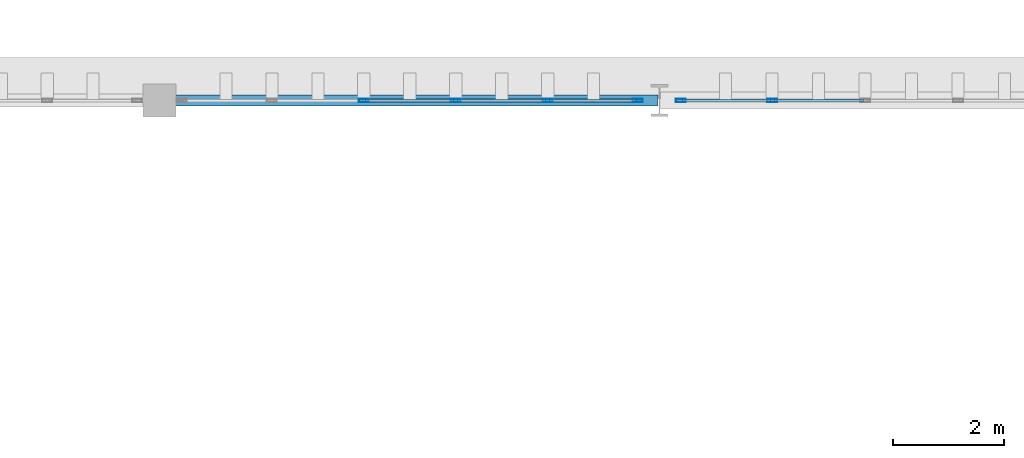
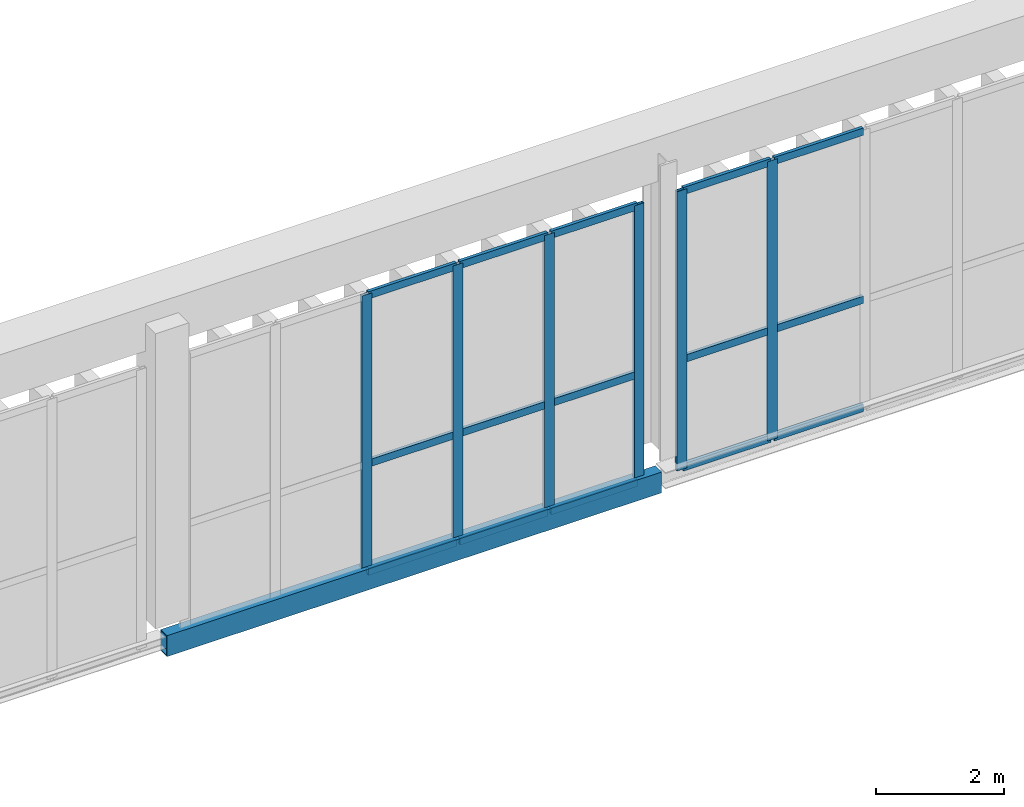
# One storey, part 170 of 237: 21 members, 1 beam, 2 elements without a shape of their own.
"""IFC4 building model written with IfcOpenShell, lengths in metres."""

from ifc_helpers import new_model, si_unit, direction, frame, origin, origin_2d, place, context, subcontext, project, spatial, hollow_rectangle, extrude, material, layer, layer_set, material_profile, profile_set, type_object, element, aggregate, save


model = new_model("IFC4")

# Units and contexts
model_context = context("Model", 3, precision=1e-05, world=origin(), true_north=direction((0.0, 1.0)))
body_context = subcontext(model_context, "Body", "Model", "MODEL_VIEW")
ifc_project = project(units=[si_unit("LENGTHUNIT", "METRE"), si_unit("AREAUNIT", "SQUARE_METRE"), si_unit("VOLUMEUNIT", "CUBIC_METRE"), si_unit("PLANEANGLEUNIT", "RADIAN"), si_unit("MASSUNIT", "GRAM", prefix="KILO")], contexts=[model_context])

# Site, building, storey
site_placement = place(None, origin())
site = spatial("IfcSite", under=ifc_project, at=site_placement, CompositionType="ELEMENT")
building_placement = place(site_placement, origin())
building = spatial("IfcBuilding", under=site, at=building_placement, Name="Barlavento Convention Centre", CompositionType="ELEMENT")
storey_placement = place(building_placement, frame((0.0, 0.0, 12.0)))
storey = spatial("IfcBuildingStorey", under=building, at=storey_placement, Name="L02", CompositionType="ELEMENT", Elevation=12.0)

# Curtain wall, members
ifc_material_1 = material(Name="Powder-coated aluminium and Low-E glass", Category="aluminium")
ifc_layer = layer(ifc_material_1, 0.18505859375)
ifc_layer_set = layer_set([ifc_layer], Name="ARC-CW-EXH-L02")
curtain_wall_type = type_object("IfcCurtainWallType", Name="ARC-CW-EXH-L02", PredefinedType="NOTDEFINED", material=ifc_layer_set)
curtain_wall_1_placement = place(storey_placement, origin())
curtain_wall_1 = element("IfcCurtainWall", 1, at=curtain_wall_1_placement, inside=storey, type_object=curtain_wall_type, Name="L02 unitised curtain wall CW05", PredefinedType="NOTDEFINED")
ifc_material_2 = material(Name="Powder-coated aluminium", Category="aluminium")
ifc_material_profile_1 = material_profile(ifc_material_2, hollow_rectangle(XDim=0.06005859375, YDim=0.179931640625, WallThickness=0.0048828125, at=origin_2d()), Name="AL-MULL 60x180x5")
ifc_profile_set_1 = profile_set([ifc_material_profile_1], Name="Powder-coated aluminium")
member_type_1 = type_object("IfcMemberType", Name="ARC-CWM-60X180", PredefinedType="MULLION", material=ifc_profile_set_1)
member_1_placement = place(storey_placement, frame((39.6796875, 135.0, -0.5), z_axis=(0.0, 0.0, 1.0), x_axis=(0.0, 1.0, 0.0)))
member_1 = element("IfcMember", 2, at=member_1_placement, type_object=member_type_1, Name="CW05 mullion 3", PredefinedType="MULLION", context=body_context, shape_type="SweptSolid", body=[
    extrude(hollow_rectangle(XDim=0.06005859375, YDim=0.179931640625, WallThickness=0.0048828125, at=origin_2d()), origin(), (0.0, 0.0, 1.0), 5.35009765625),
])
member_2_placement = place(storey_placement, frame((41.33447265625, 135.0, -0.5), z_axis=(0.0, 0.0, 1.0), x_axis=(0.0, 1.0, 0.0)))
member_2 = element("IfcMember", 3, at=member_2_placement, type_object=member_type_1, Name="CW05 mullion 4", PredefinedType="MULLION", context=body_context, shape_type="SweptSolid", body=[
    extrude(hollow_rectangle(XDim=0.06005859375, YDim=0.179931640625, WallThickness=0.0048828125, at=origin_2d()), origin(), (0.0, 0.0, 1.0), 5.35009765625),
])
member_3_placement = place(storey_placement, frame((42.9892578125, 135.0, -0.5), z_axis=(0.0, 0.0, 1.0), x_axis=(0.0, 1.0, 0.0)))
member_3 = element("IfcMember", 4, at=member_3_placement, type_object=member_type_1, Name="CW05 mullion 5", PredefinedType="MULLION", context=body_context, shape_type="SweptSolid", body=[
    extrude(hollow_rectangle(XDim=0.06005859375, YDim=0.179931640625, WallThickness=0.0048828125, at=origin_2d()), origin(), (0.0, 0.0, 1.0), 5.35009765625),
])
member_4_placement = place(storey_placement, frame((44.614013671875, 135.0, -0.5), z_axis=(0.0, 0.0, 1.0), x_axis=(0.0, 1.0, 0.0)))
member_4 = element("IfcMember", 5, at=member_4_placement, type_object=member_type_1, Name="CW05 mullion 6", PredefinedType="MULLION", context=body_context, shape_type="SweptSolid", body=[
    extrude(hollow_rectangle(XDim=0.06005859375, YDim=0.179931640625, WallThickness=0.0048828125, at=origin_2d()), origin(), (0.0, 0.0, 1.0), 5.35009765625),
])

curtain_wall_2_placement = place(storey_placement, origin())
curtain_wall_2 = element("IfcCurtainWall", 6, at=curtain_wall_2_placement, inside=storey, type_object=curtain_wall_type, Name="L02 unitised curtain wall CW05", PredefinedType="NOTDEFINED")
member_5_placement = place(storey_placement, frame((45.385986328125, 135.0, -0.5), z_axis=(0.0, 0.0, 1.0), x_axis=(0.0, 1.0, 0.0)))
member_5 = element("IfcMember", 7, at=member_5_placement, type_object=member_type_1, Name="CW05 mullion 1", PredefinedType="MULLION", context=body_context, shape_type="SweptSolid", body=[
    extrude(hollow_rectangle(XDim=0.06005859375, YDim=0.179931640625, WallThickness=0.0048828125, at=origin_2d()), origin(), (0.0, 0.0, 1.0), 5.35009765625),
])
member_6_placement = place(storey_placement, frame((47.0302734375, 135.0, -0.5), z_axis=(0.0, 0.0, 1.0), x_axis=(0.0, 1.0, 0.0)))
member_6 = element("IfcMember", 8, at=member_6_placement, type_object=member_type_1, Name="CW05 mullion 2", PredefinedType="MULLION", context=body_context, shape_type="SweptSolid", body=[
    extrude(hollow_rectangle(XDim=0.06005859375, YDim=0.179931640625, WallThickness=0.0048828125, at=origin_2d()), origin(), (0.0, 0.0, 1.0), 5.35009765625),
])

# Member
ifc_material_profile_2 = material_profile(ifc_material_2, hollow_rectangle(XDim=0.06005859375, YDim=0.139892578125, WallThickness=0.00390625, at=origin_2d()), Name="AL-TRAN 60x140x4")
ifc_profile_set_2 = profile_set([ifc_material_profile_2], Name="Powder-coated aluminium")
member_type_2 = type_object("IfcMemberType", Name="ARC-CWT-60X140", PredefinedType="USERDEFINED", material=ifc_profile_set_2)
member_7_placement = place(storey_placement, frame((39.709716796875, 135.0, -0.469970703125), z_axis=(1.0, 0.0, 0.0), x_axis=(0.0, 1.0, 0.0)))
member_7 = element("IfcMember", 9, at=member_7_placement, type_object=member_type_2, Name="CW05 transom 3.1", ObjectType="TRANSOM", PredefinedType="USERDEFINED", context=body_context, shape_type="SweptSolid", body=[
    extrude(hollow_rectangle(XDim=0.06005859375, YDim=0.139892578125, WallThickness=0.00390625, at=origin_2d()), origin(), (0.0, 0.0, 1.0), 1.5947265625),
])

member_8_placement = place(storey_placement, frame((39.709716796875, 135.0, 1.60009765625), z_axis=(1.0, 0.0, 0.0), x_axis=(0.0, 1.0, 0.0)))
member_8 = element("IfcMember", 10, at=member_8_placement, type_object=member_type_2, Name="CW05 transom 3.2", ObjectType="TRANSOM", PredefinedType="USERDEFINED", context=body_context, shape_type="SweptSolid", body=[
    extrude(hollow_rectangle(XDim=0.06005859375, YDim=0.139892578125, WallThickness=0.00390625, at=origin_2d()), origin(), (0.0, 0.0, 1.0), 1.5947265625),
])

member_9_placement = place(storey_placement, frame((39.709716796875, 135.0, 4.820068359375), z_axis=(1.0, 0.0, 0.0), x_axis=(0.0, 1.0, 0.0)))
member_9 = element("IfcMember", 11, at=member_9_placement, type_object=member_type_2, Name="CW05 transom 3.3", ObjectType="TRANSOM", PredefinedType="USERDEFINED", context=body_context, shape_type="SweptSolid", body=[
    extrude(hollow_rectangle(XDim=0.06005859375, YDim=0.139892578125, WallThickness=0.00390625, at=origin_2d()), origin(), (0.0, 0.0, 1.0), 1.5947265625),
])

member_10_placement = place(storey_placement, frame((41.364501953125, 135.0, -0.469970703125), z_axis=(1.0, 0.0, 0.0), x_axis=(0.0, 1.0, 0.0)))
member_10 = element("IfcMember", 12, at=member_10_placement, type_object=member_type_2, Name="CW05 transom 4.1", ObjectType="TRANSOM", PredefinedType="USERDEFINED", context=body_context, shape_type="SweptSolid", body=[
    extrude(hollow_rectangle(XDim=0.06005859375, YDim=0.139892578125, WallThickness=0.00390625, at=origin_2d()), origin(), (0.0, 0.0, 1.0), 1.5947265625),
])

member_11_placement = place(storey_placement, frame((41.364501953125, 135.0, 1.60009765625), z_axis=(1.0, 0.0, 0.0), x_axis=(0.0, 1.0, 0.0)))
member_11 = element("IfcMember", 13, at=member_11_placement, type_object=member_type_2, Name="CW05 transom 4.2", ObjectType="TRANSOM", PredefinedType="USERDEFINED", context=body_context, shape_type="SweptSolid", body=[
    extrude(hollow_rectangle(XDim=0.06005859375, YDim=0.139892578125, WallThickness=0.00390625, at=origin_2d()), origin(), (0.0, 0.0, 1.0), 1.5947265625),
])

member_12_placement = place(storey_placement, frame((41.364501953125, 135.0, 4.820068359375), z_axis=(1.0, 0.0, 0.0), x_axis=(0.0, 1.0, 0.0)))
member_12 = element("IfcMember", 14, at=member_12_placement, type_object=member_type_2, Name="CW05 transom 4.3", ObjectType="TRANSOM", PredefinedType="USERDEFINED", context=body_context, shape_type="SweptSolid", body=[
    extrude(hollow_rectangle(XDim=0.06005859375, YDim=0.139892578125, WallThickness=0.00390625, at=origin_2d()), origin(), (0.0, 0.0, 1.0), 1.5947265625),
])

member_13_placement = place(storey_placement, frame((43.019287109375, 135.0, -0.469970703125), z_axis=(1.0, 0.0, 0.0), x_axis=(0.0, 1.0, 0.0)))
member_13 = element("IfcMember", 15, at=member_13_placement, type_object=member_type_2, Name="CW05 transom 5.1", ObjectType="TRANSOM", PredefinedType="USERDEFINED", context=body_context, shape_type="SweptSolid", body=[
    extrude(hollow_rectangle(XDim=0.06005859375, YDim=0.139892578125, WallThickness=0.00390625, at=origin_2d()), origin(), (0.0, 0.0, 1.0), 1.564697265625),
])

member_14_placement = place(storey_placement, frame((43.019287109375, 135.0, 1.60009765625), z_axis=(1.0, 0.0, 0.0), x_axis=(0.0, 1.0, 0.0)))
member_14 = element("IfcMember", 16, at=member_14_placement, type_object=member_type_2, Name="CW05 transom 5.2", ObjectType="TRANSOM", PredefinedType="USERDEFINED", context=body_context, shape_type="SweptSolid", body=[
    extrude(hollow_rectangle(XDim=0.06005859375, YDim=0.139892578125, WallThickness=0.00390625, at=origin_2d()), origin(), (0.0, 0.0, 1.0), 1.564697265625),
])

member_15_placement = place(storey_placement, frame((43.019287109375, 135.0, 4.820068359375), z_axis=(1.0, 0.0, 0.0), x_axis=(0.0, 1.0, 0.0)))
member_15 = element("IfcMember", 17, at=member_15_placement, type_object=member_type_2, Name="CW05 transom 5.3", ObjectType="TRANSOM", PredefinedType="USERDEFINED", context=body_context, shape_type="SweptSolid", body=[
    extrude(hollow_rectangle(XDim=0.06005859375, YDim=0.139892578125, WallThickness=0.00390625, at=origin_2d()), origin(), (0.0, 0.0, 1.0), 1.564697265625),
])

aggregate(curtain_wall_1, [member_1, member_2, member_3, member_4, member_7, member_8, member_9, member_10, member_11, member_12, member_13, member_14, member_15])

member_16_placement = place(storey_placement, frame((45.416015625, 135.0, -0.469970703125), z_axis=(1.0, 0.0, 0.0), x_axis=(0.0, 1.0, 0.0)))
member_16 = element("IfcMember", 18, at=member_16_placement, type_object=member_type_2, Name="CW05 transom 1.1", ObjectType="TRANSOM", PredefinedType="USERDEFINED", context=body_context, shape_type="SweptSolid", body=[
    extrude(hollow_rectangle(XDim=0.06005859375, YDim=0.139892578125, WallThickness=0.00390625, at=origin_2d()), origin(), (0.0, 0.0, 1.0), 1.584228515625),
])

member_17_placement = place(storey_placement, frame((45.416015625, 135.0, 1.60009765625), z_axis=(1.0, 0.0, 0.0), x_axis=(0.0, 1.0, 0.0)))
member_17 = element("IfcMember", 19, at=member_17_placement, type_object=member_type_2, Name="CW05 transom 1.2", ObjectType="TRANSOM", PredefinedType="USERDEFINED", context=body_context, shape_type="SweptSolid", body=[
    extrude(hollow_rectangle(XDim=0.06005859375, YDim=0.139892578125, WallThickness=0.00390625, at=origin_2d()), origin(), (0.0, 0.0, 1.0), 1.584228515625),
])

member_18_placement = place(storey_placement, frame((45.416015625, 135.0, 4.820068359375), z_axis=(1.0, 0.0, 0.0), x_axis=(0.0, 1.0, 0.0)))
member_18 = element("IfcMember", 20, at=member_18_placement, type_object=member_type_2, Name="CW05 transom 1.3", ObjectType="TRANSOM", PredefinedType="USERDEFINED", context=body_context, shape_type="SweptSolid", body=[
    extrude(hollow_rectangle(XDim=0.06005859375, YDim=0.139892578125, WallThickness=0.00390625, at=origin_2d()), origin(), (0.0, 0.0, 1.0), 1.584228515625),
])

member_19_placement = place(storey_placement, frame((47.06005859375, 135.0, -0.469970703125), z_axis=(1.0, 0.0, 0.0), x_axis=(0.0, 1.0, 0.0)))
member_19 = element("IfcMember", 21, at=member_19_placement, type_object=member_type_2, Name="CW05 transom 2.1", ObjectType="TRANSOM", PredefinedType="USERDEFINED", context=body_context, shape_type="SweptSolid", body=[
    extrude(hollow_rectangle(XDim=0.06005859375, YDim=0.139892578125, WallThickness=0.00390625, at=origin_2d()), origin(), (0.0, 0.0, 1.0), 1.6142578125),
])

member_20_placement = place(storey_placement, frame((47.06005859375, 135.0, 1.60009765625), z_axis=(1.0, 0.0, 0.0), x_axis=(0.0, 1.0, 0.0)))
member_20 = element("IfcMember", 22, at=member_20_placement, type_object=member_type_2, Name="CW05 transom 2.2", ObjectType="TRANSOM", PredefinedType="USERDEFINED", context=body_context, shape_type="SweptSolid", body=[
    extrude(hollow_rectangle(XDim=0.06005859375, YDim=0.139892578125, WallThickness=0.00390625, at=origin_2d()), origin(), (0.0, 0.0, 1.0), 1.6142578125),
])

member_21_placement = place(storey_placement, frame((47.06005859375, 135.0, 4.820068359375), z_axis=(1.0, 0.0, 0.0), x_axis=(0.0, 1.0, 0.0)))
member_21 = element("IfcMember", 23, at=member_21_placement, type_object=member_type_2, Name="CW05 transom 2.3", ObjectType="TRANSOM", PredefinedType="USERDEFINED", context=body_context, shape_type="SweptSolid", body=[
    extrude(hollow_rectangle(XDim=0.06005859375, YDim=0.139892578125, WallThickness=0.00390625, at=origin_2d()), origin(), (0.0, 0.0, 1.0), 1.6142578125),
])

aggregate(curtain_wall_2, [member_5, member_6, member_16, member_17, member_18, member_19, member_20, member_21])

# Beam
ifc_material_3 = material(Name="Steel S355", Category="steel")
ifc_material_profile_3 = material_profile(ifc_material_3, hollow_rectangle(XDim=0.199951171875, YDim=0.39990234375, WallThickness=0.01611328125, at=origin_2d()), Name="RHS 400x200x16.0")
ifc_profile_set_3 = profile_set([ifc_material_profile_3], Name="Steel S355")
beam_type = type_object("IfcBeamType", Name="STR-BM-SPN-RHS400", PredefinedType="SPANDREL", material=ifc_profile_set_3)
beam_placement = place(storey_placement, frame((36.02001953125, 135.0, -0.56005859375), z_axis=(1.0, 0.0, 0.0), x_axis=(0.0, 1.0, 0.0)))
element("IfcBeam", 24, at=beam_placement, inside=storey, type_object=beam_type, Name="L02 primary girder SP06", PredefinedType="SPANDREL", context=body_context, shape_type="SweptSolid", body=[
    extrude(hollow_rectangle(XDim=0.199951171875, YDim=0.39990234375, WallThickness=0.01611328125, at=origin_2d()), origin(), (0.0, 0.0, 1.0), 8.9599609375),
])

save(model, "model.ifc")
